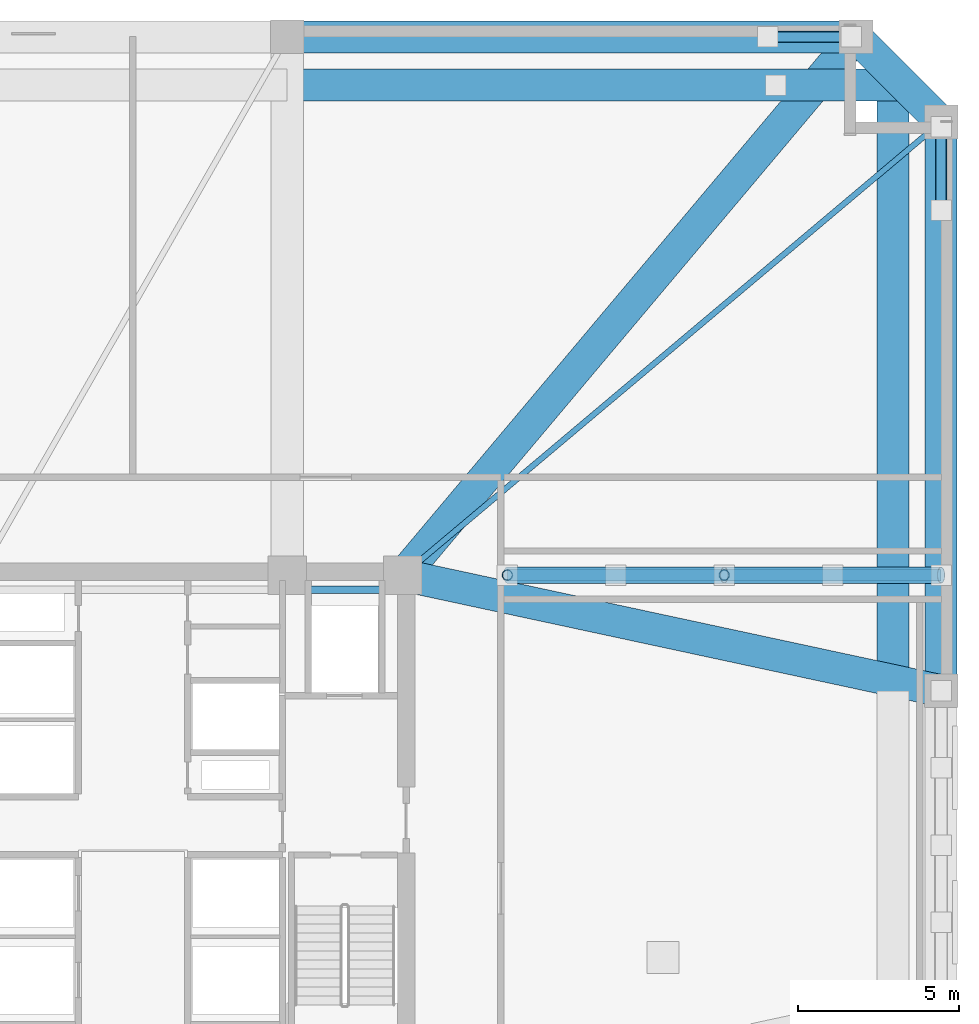
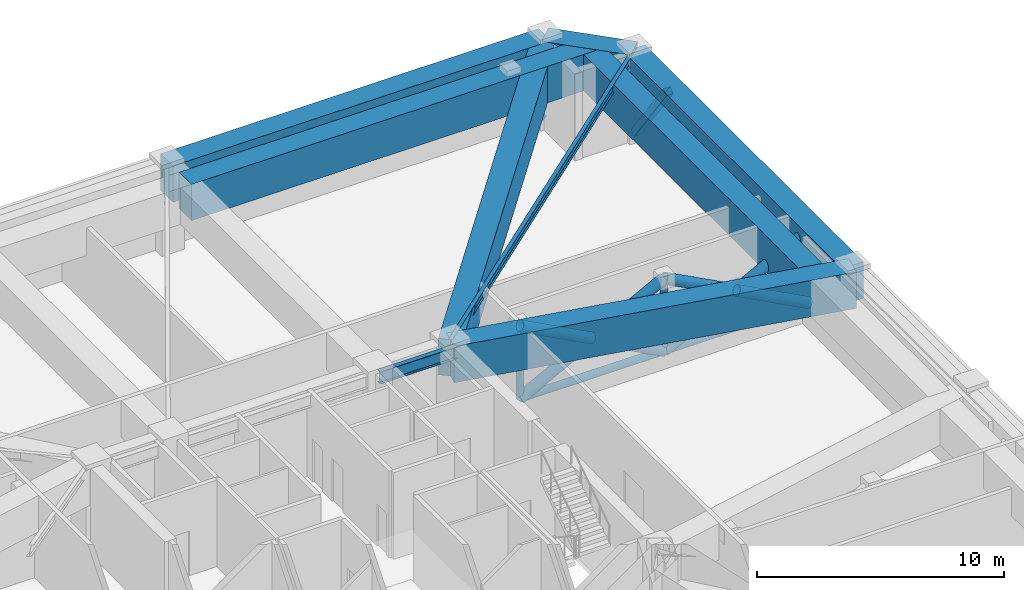
# One storey, part 5 of 13: 11 members, 9 beams.
"""IFC4 building model written with IfcOpenShell, lengths in metres."""

from ifc_helpers import new_model, si_unit, direction, frame, origin, origin_2d, place, context, subcontext, project, spatial, rectangle, hollow_rectangle, hollow_circle, i_section, extrude, material, material_profile, profile_set, type_object, element, save


model = new_model("IFC4")

# Units and contexts
model_context = context("Model", 3, precision=1e-05, world=origin(), true_north=direction((0.0, 1.0)))
body_context = subcontext(model_context, "Body", "Model", "MODEL_VIEW")
ifc_project = project(units=[si_unit("LENGTHUNIT", "METRE"), si_unit("AREAUNIT", "SQUARE_METRE"), si_unit("VOLUMEUNIT", "CUBIC_METRE"), si_unit("PLANEANGLEUNIT", "RADIAN"), si_unit("MASSUNIT", "GRAM", prefix="KILO")], contexts=[model_context])

# Site, building, storey
site_placement = place(None, origin())
site = spatial("IfcSite", under=ifc_project, at=site_placement, CompositionType="ELEMENT")
building_placement = place(site_placement, origin())
building = spatial("IfcBuilding", under=site, at=building_placement, Name="Cairnveth Concourse Tower", CompositionType="ELEMENT")
storey_placement = place(building_placement, frame((0.0, 0.0, 97.0)))
storey = spatial("IfcBuildingStorey", under=building, at=storey_placement, Name="L26", CompositionType="ELEMENT", Elevation=97.0)

# Member
ifc_material_1 = material(Name="Steel C350L0 (350 MPa)", Category="steel")
ifc_material_profile_1 = material_profile(ifc_material_1, hollow_circle(Radius=0.177734375, WallThickness=0.01611328125, at=origin_2d()), Name="355.6x16.0CHS")
ifc_profile_set_1 = profile_set([ifc_material_profile_1], Name="Steel C350L0 (350 MPa)")
member_type_1 = type_object("IfcMemberType", Name="BELT TRUSS CHORD 355.6X16CHS", PredefinedType="CHORD", material=ifc_profile_set_1)
member_1_placement = place(storey_placement, frame((63.64990234375, 47.39990234375, 0.25), z_axis=(1.0, 0.0, 0.0), x_axis=(0.0, 1.0, 0.0)))
element("IfcMember", 1, at=member_1_placement, inside=storey, type_object=member_type_1, Name="Structural Brace OUT-OE2A-CH L26", PredefinedType="CHORD", context=body_context, shape_type="SweptSolid", body=[
    extrude(hollow_circle(Radius=0.177734375, WallThickness=0.01611328125, at=origin_2d()), origin(), (0.0, 0.0, 1.0), 13.5),
])

# Beams
ifc_material_2 = material(Name="Concrete N65 (65 MPa)", Category="concrete")
ifc_material_profile_2 = material_profile(ifc_material_2, rectangle(XDim=1.0, YDim=1.800048828125, at=origin_2d()), Name="RC-TB-1000x1800")
ifc_profile_set_2 = profile_set([ifc_material_profile_2], Name="Concrete N65 (65 MPa)")
beam_type_1 = type_object("IfcBeamType", Name="CONCRETE TRANSFER GIRDER 1000X1800", PredefinedType="BEAM", material=ifc_profile_set_2)
for number, where, z_axis, x_axis, name in (
    (2, (56.800048828125, 64.14990234375, 3.3798828125), (1.0, 0.0, 0.0), (0.0, 1.0, 0.0), "Beam SP-N3 L26"),
    (3, (77.14990234375, 43.800048828125, 3.3798828125), (0.0, 1.0, 0.0), (-1.0, 0.0, 0.0), "Beam SP-E3 L26"),
):
    element("IfcBeam", number, at=place(storey_placement, frame(where, z_axis=z_axis, x_axis=x_axis)), inside=storey, type_object=beam_type_1, Name=name, PredefinedType="BEAM", context=body_context, shape_type="SweptSolid", body=[
        extrude(rectangle(XDim=1.0, YDim=1.800048828125, at=origin_2d()), origin(), (0.0, 0.0, 1.0), 17.699951171875),
    ])
beam_1_placement = place(storey_placement, frame((74.5, 64.14990234375, 3.3798828125), z_axis=(0.707106781187, -0.707106781187, 0.0), x_axis=(0.707106781187, 0.707106781187, 0.0)))
element("IfcBeam", 4, at=beam_1_placement, inside=storey, type_object=beam_type_1, Name="Beam SP-NE L26", PredefinedType="BEAM", context=body_context, shape_type="SweptSolid", body=[
    extrude(rectangle(XDim=1.0, YDim=1.800048828125, at=origin_2d()), origin(), (0.0, 0.0, 1.0), 3.74755859375),
])
beam_2_placement = place(storey_placement, frame((74.5, 64.14990234375, 3.3798828125), z_axis=(-0.643997697905, -0.765027427674, 0.0), x_axis=(0.765027427674, -0.643997697905, 0.0)))
element("IfcBeam", 5, at=beam_2_placement, inside=storey, type_object=beam_type_1, Name="Beam RG-CNE L26", PredefinedType="BEAM", context=body_context, shape_type="SweptSolid", body=[
    extrude(rectangle(XDim=1.0, YDim=1.800048828125, at=origin_2d()), origin(), (0.0, 0.0, 1.0), 21.89453125),
])
beam_3_placement = place(storey_placement, frame((60.39990234375, 47.39990234375, 3.3798828125), z_axis=(0.977675861524, -0.210118799239, 0.0), x_axis=(0.210118799239, 0.977675861524, 0.0)))
element("IfcBeam", 6, at=beam_3_placement, inside=storey, type_object=beam_type_1, Name="Beam RG-E2 L26", PredefinedType="BEAM", context=body_context, shape_type="SweptSolid", body=[
    extrude(rectangle(XDim=1.0, YDim=1.800048828125, at=origin_2d()), origin(), (0.0, 0.0, 1.0), 17.132568359375),
])
for number, where, z_axis, x_axis, name in (
    (7, (56.800048828125, 62.64990234375, 3.3798828125), (1.0, 0.0, 0.0), (0.0, 1.0, 0.0), "Beam STG-N3 L26"),
    (8, (75.64990234375, 43.800048828125, 3.3798828125), (0.0, 1.0, 0.0), (-1.0, 0.0, 0.0), "Beam STG-E3 L26"),
):
    element("IfcBeam", number, at=place(storey_placement, frame(where, z_axis=z_axis, x_axis=x_axis)), inside=storey, type_object=beam_type_1, Name=name, PredefinedType="BEAM", context=body_context, shape_type="SweptSolid", body=[
        extrude(rectangle(XDim=1.0, YDim=1.800048828125, at=origin_2d()), origin(), (0.0, 0.0, 1.0), 19.199951171875),
    ])
ifc_material_3 = material(Name="Steel Grade 350", Category="steel")
ifc_material_profile_3 = material_profile(ifc_material_3, i_section(OverallWidth=0.22802734375, OverallDepth=0.60693359375, WebThickness=0.01123046875, FlangeThickness=0.017333984375, FilletRadius=0.013916015625, at=origin_2d()), Name="610UB113")
ifc_profile_set_3 = profile_set([ifc_material_profile_3], Name="Steel Grade 350")
beam_type_2 = type_object("IfcBeamType", Name="CORE TIE BEAM 610UB113", PredefinedType="T_BEAM", material=ifc_profile_set_3)
beam_4_placement = place(storey_placement, frame((56.800048828125, 46.949951171875, 3.9765625), z_axis=(1.0, 0.0, 0.0), x_axis=(0.0, 1.0, 0.0)))
element("IfcBeam", 9, at=beam_4_placement, inside=storey, type_object=beam_type_2, Name="Beam CT-N3 L26", PredefinedType="T_BEAM", context=body_context, shape_type="SweptSolid", body=[
    extrude(i_section(OverallWidth=0.22802734375, OverallDepth=0.60693359375, WebThickness=0.01123046875, FlangeThickness=0.017333984375, FilletRadius=0.013916015625, at=origin_2d()), origin(), (0.0, 0.0, 1.0), 3.599853515625),
])

# Members
ifc_material_profile_4 = material_profile(ifc_material_1, hollow_circle(Radius=0.25390625, WallThickness=0.01611328125, at=origin_2d()), Name="508.0x16.0CHS")
ifc_profile_set_4 = profile_set([ifc_material_profile_4], Name="Steel C350L0 (350 MPa)")
member_type_2 = type_object("IfcMemberType", Name="OUTRIGGER DIAGONAL 508X16CHS", PredefinedType="BRACE", material=ifc_profile_set_4)
member_2_placement = place(storey_placement, frame((63.64990234375, 47.39990234375, 0.25), z_axis=(0.883433244898, 0.0, 0.468557042216), x_axis=(0.0, 1.0, 0.0)))
element("IfcMember", 10, at=member_2_placement, inside=storey, type_object=member_type_2, Name="Structural Brace OUT-OE2A-P1A L26", PredefinedType="BRACE", context=body_context, shape_type="SweptSolid", body=[
    extrude(hollow_circle(Radius=0.25390625, WallThickness=0.01611328125, at=origin_2d()), origin(), (0.0, 0.0, 1.0), 7.640625),
])
member_3_placement = place(storey_placement, frame((63.64990234375, 47.39990234375, 3.830078125), z_axis=(0.883442788673, 0.0, -0.468539047617), x_axis=(0.0, 1.0, 0.0)))
element("IfcMember", 11, at=member_3_placement, inside=storey, type_object=member_type_2, Name="Structural Brace OUT-OE2A-P1B1 L26", PredefinedType="BRACE", context=body_context, shape_type="SweptSolid", body=[
    extrude(hollow_circle(Radius=0.25390625, WallThickness=0.01611328125, at=origin_2d()), origin(), (0.0, 0.0, 1.0), 3.805419921875),
])
member_4_placement = place(storey_placement, frame((67.038330078125, 47.39990234375, 2.032958984375), z_axis=(0.88342870315, 0.0, -0.46856560528), x_axis=(0.0, 1.0, 0.0)))
element("IfcMember", 12, at=member_4_placement, inside=storey, type_object=member_type_2, Name="Structural Brace OUT-OE2A-P1B2 L26", PredefinedType="BRACE", context=body_context, shape_type="SweptSolid", body=[
    extrude(hollow_circle(Radius=0.25390625, WallThickness=0.01611328125, at=origin_2d()), origin(), (0.0, 0.0, 1.0), 3.80517578125),
])
member_5_placement = place(storey_placement, frame((70.39990234375, 47.39990234375, 0.25), z_axis=(0.883433244898, 0.0, 0.468557042216), x_axis=(0.0, 1.0, 0.0)))
element("IfcMember", 13, at=member_5_placement, inside=storey, type_object=member_type_2, Name="Structural Brace OUT-OE2A-P2A L26", PredefinedType="BRACE", context=body_context, shape_type="SweptSolid", body=[
    extrude(hollow_circle(Radius=0.25390625, WallThickness=0.01611328125, at=origin_2d()), origin(), (0.0, 0.0, 1.0), 7.640625),
])
member_6_placement = place(storey_placement, frame((70.39990234375, 47.39990234375, 3.830078125), z_axis=(0.883442788673, 0.0, -0.468539047617), x_axis=(0.0, 1.0, 0.0)))
element("IfcMember", 14, at=member_6_placement, inside=storey, type_object=member_type_2, Name="Structural Brace OUT-OE2A-P2B1 L26", PredefinedType="BRACE", context=body_context, shape_type="SweptSolid", body=[
    extrude(hollow_circle(Radius=0.25390625, WallThickness=0.01611328125, at=origin_2d()), origin(), (0.0, 0.0, 1.0), 3.805419921875),
])
member_7_placement = place(storey_placement, frame((73.788330078125, 47.39990234375, 2.032958984375), z_axis=(0.88342870315, 0.0, -0.46856560528), x_axis=(0.0, 1.0, 0.0)))
element("IfcMember", 15, at=member_7_placement, inside=storey, type_object=member_type_2, Name="Structural Brace OUT-OE2A-P2B2 L26", PredefinedType="BRACE", context=body_context, shape_type="SweptSolid", body=[
    extrude(hollow_circle(Radius=0.25390625, WallThickness=0.01611328125, at=origin_2d()), origin(), (0.0, 0.0, 1.0), 3.80517578125),
])
ifc_material_profile_5 = material_profile(ifc_material_1, hollow_circle(Radius=0.161865234375, WallThickness=0.0126953125, at=origin_2d()), Name="323.9x12.7CHS")
ifc_profile_set_5 = profile_set([ifc_material_profile_5], Name="Steel C350L0 (350 MPa)")
member_type_3 = type_object("IfcMemberType", Name="OUTRIGGER KING STRUT 323.9X12.7CHS", PredefinedType="STRUT", material=ifc_profile_set_5)
for number, where, z_axis, x_axis, name in (
    (16, (70.39990234375, 47.39990234375, 0.25), (0.0, 0.0, 1.0), (1.0, 0.0, 0.0), "Structural Brace OUT-OE2A-SR L26"),
    (17, (63.64990234375, 47.39990234375, 0.25), (0.0, 0.0, 1.0), (1.0, 0.0, 0.0), "Structural Brace OUT-OE2A-SRE L26"),
):
    element("IfcMember", number, at=place(storey_placement, frame(where, z_axis=z_axis, x_axis=x_axis)), inside=storey, type_object=member_type_3, Name=name, PredefinedType="STRUT", context=body_context, shape_type="SweptSolid", body=[
        extrude(hollow_circle(Radius=0.161865234375, WallThickness=0.0126953125, at=origin_2d()), origin(), (0.0, 0.0, 1.0), 3.580078125),
    ])

# Beam
ifc_material_profile_6 = material_profile(ifc_material_3, i_section(OverallWidth=0.177978515625, OverallDepth=0.406005859375, WebThickness=0.0078125, FlangeThickness=0.0126953125, FilletRadius=0.010986328125, at=origin_2d()), Name="410UB59.7")
ifc_profile_set_6 = profile_set([ifc_material_profile_6], Name="Steel Grade 350")
beam_type_3 = type_object("IfcBeamType", Name="ZONE 1 FLOOR JOIST 410UB59.7", PredefinedType="JOIST", material=ifc_profile_set_6)
beam_5_placement = place(storey_placement, frame((77.14990234375, 61.5, 4.076904296875), z_axis=(-0.765027427674, -0.643997697905, 0.0), x_axis=(0.643997697905, -0.765027427674, 0.0)))
element("IfcBeam", 18, at=beam_5_placement, inside=storey, type_object=beam_type_3, Name="Beam FJ-CNE2 L26", PredefinedType="JOIST", context=body_context, shape_type="SweptSolid", body=[
    extrude(i_section(OverallWidth=0.177978515625, OverallDepth=0.406005859375, WebThickness=0.0078125, FlangeThickness=0.0126953125, FilletRadius=0.010986328125, at=origin_2d()), origin(), (0.0, 0.0, 1.0), 21.89453125),
])

# Members
ifc_material_profile_7 = material_profile(ifc_material_1, hollow_rectangle(XDim=0.35009765625, YDim=0.35009765625, WallThickness=0.01611328125, InnerFilletRadius=0.01611328125, OuterFilletRadius=0.031982421875, at=origin_2d()), Name="350x350x16.0SHS")
ifc_profile_set_7 = profile_set([ifc_material_profile_7], Name="Steel C350L0 (350 MPa)")
member_type_4 = type_object("IfcMemberType", Name="ZONE 1 PIER BRACE 350X350X16SHS", PredefinedType="BRACE", material=ifc_profile_set_7)
for number, where, z_axis, x_axis, name in (
    (19, (74.35009765625, 64.14990234375, 0.25), (-0.587640077388, 0.0, 0.809122450218), (0.0, -1.0, 0.0), "Structural Brace PB-N2 L26"),
    (20, (77.14990234375, 61.35009765625, 0.25), (0.0, -0.587640077388, 0.809122450218), (1.0, 0.0, 0.0), "Structural Brace PB-E2 L26"),
):
    element("IfcMember", number, at=place(storey_placement, frame(where, z_axis=z_axis, x_axis=x_axis)), inside=storey, type_object=member_type_4, Name=name, PredefinedType="BRACE", context=body_context, shape_type="SweptSolid", body=[
        extrude(hollow_rectangle(XDim=0.35009765625, YDim=0.35009765625, WallThickness=0.01611328125, InnerFilletRadius=0.01611328125, OuterFilletRadius=0.031982421875, at=origin_2d()), origin(), (0.0, 0.0, 1.0), 4.424560546875),
    ])

save(model, "model.ifc")
